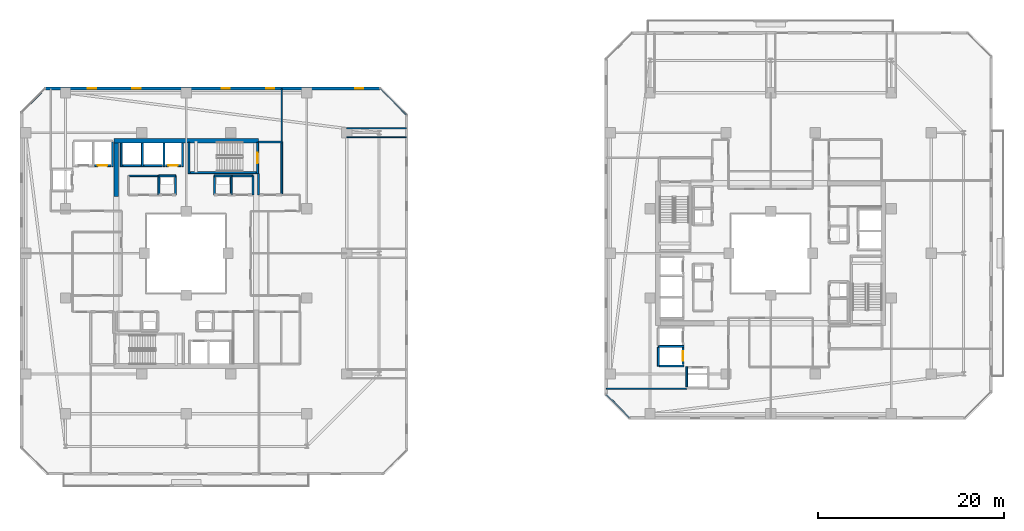
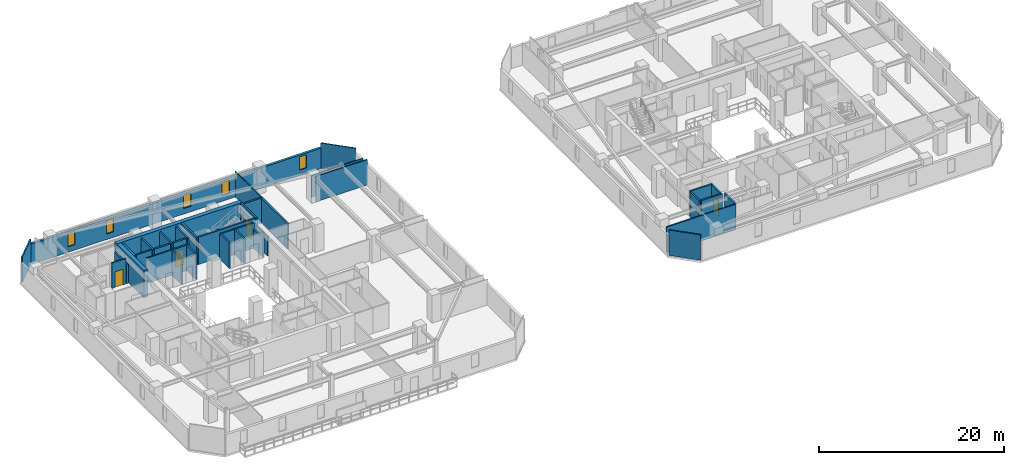
# One storey, part 22 of 33: 39 walls, 5 windows, 4 doors, 9 openings.
"""IFC4 building model written with IfcOpenShell, lengths in metres."""

from ifc_helpers import new_model, si_unit, direction, frame, frame_2d, origin, place, context, subcontext, project, spatial, rectangle, extrude, material, layer, layer_set, type_object, element, fill, save


model = new_model("IFC4")

# Units and contexts
model_context = context("Model", 3, precision=1e-05, world=origin(), true_north=direction((0.0, 1.0)))
body_context = subcontext(model_context, "Body", "Model", "MODEL_VIEW")
ifc_project = project(units=[si_unit("LENGTHUNIT", "METRE"), si_unit("AREAUNIT", "SQUARE_METRE"), si_unit("VOLUMEUNIT", "CUBIC_METRE"), si_unit("PLANEANGLEUNIT", "RADIAN"), si_unit("MASSUNIT", "GRAM", prefix="KILO")], contexts=[model_context])

# Site, building, storey
site_placement = place(None, origin())
site = spatial("IfcSite", under=ifc_project, at=site_placement, CompositionType="ELEMENT")
building_placement = place(site_placement, origin())
building = spatial("IfcBuilding", under=site, at=building_placement, Name="Thornwick Lancets Civic Towers", CompositionType="ELEMENT")
storey_placement = place(building_placement, frame((0.0, 0.0, 167.10009765625)))
storey = spatial("IfcBuildingStorey", under=building, at=storey_placement, Name="L44", CompositionType="ELEMENT", Elevation=167.10009765625)

# Wall, opening, door
ifc_material_1 = material(Name="Concrete blockwork C40/50", Category="masonry")
ifc_layer_1 = layer(ifc_material_1, 0.199951171875, Name="Concrete blockwork C40/50")
ifc_layer_set_1 = layer_set([ifc_layer_1], Name="Concrete blockwork C40/50")
wall_type_1 = type_object("IfcWallType", Name="WALL_COMP_200", PredefinedType="STANDARD", material=ifc_layer_set_1)
wall_1_placement = place(storey_placement, frame((24.919921875, 36.449951171875, 0.0), z_axis=(0.0, 0.0, 1.0), x_axis=(-1.0, 0.0, 0.0)))
wall_1 = element("IfcWall", 1, at=wall_1_placement, inside=storey, type_object=wall_type_1, Name="L44 Hoistway Front Wall FL-A2", PredefinedType="STANDARD", context=body_context, shape_type="SweptSolid", body=[
    extrude(rectangle(XDim=1.639892578125, YDim=0.199951171875, at=frame_2d((0.81982421875, 0.0))), origin(), (0.0, 0.0, 1.0), 3.33984375),
])
opening_1_placement = place(wall_1_placement, frame((0.31005859375, 0.0, 0.0)))
opening_1 = element("IfcOpeningElement", 2, at=opening_1_placement, cuts=wall_1, Name="Opening LD-FL-A2", PredefinedType="OPENING", context=body_context, shape_type="SweptSolid", body=[
    extrude(rectangle(XDim=1.02001953125, YDim=2.06005859375, at=frame_2d((0.510009765625, 1.030029296875))), frame((0.0, 0.10986328125, 0.0), z_axis=(0.0, -1.0, 0.0), x_axis=(1.0, 0.0, 0.0)), (0.0, 0.0, 1.0), 0.219970703125),
])
ifc_material_2 = material(Name="Brushed bronze stainless steel", Category="steel")
door_type_1 = type_object("IfcDoorType", Name="DOOR_LIFT_SLIDE", OperationType="SLIDING_TO_LEFT", PredefinedType="DOOR", material=ifc_material_2)
door_1_placement = place(opening_1_placement, origin())
door_1 = element("IfcDoor", 3, at=door_1_placement, inside=storey, type_object=door_type_1, Name="L44 Sliding Lift Landing Door LD-FL-A2", OperationType="SLIDING_TO_LEFT", OverallHeight=2.06005859375, OverallWidth=1.02001953125, PredefinedType="DOOR", context=body_context, shape_type="SweptSolid", body=[
    extrude(rectangle(XDim=1.02001953125, YDim=2.06005859375, at=frame_2d((0.510009765625, 1.030029296875))), frame((0.0, 0.02490234375, 0.0), z_axis=(0.0, -1.0, 0.0), x_axis=(1.0, 0.0, 0.0)), (0.0, 0.0, 1.0), 0.050048828125),
])
fill(opening_1, door_1)

# Walls
wall_2_placement = place(storey_placement, frame((22.919921875, 36.449951171875, 0.0), z_axis=(0.0, 0.0, 1.0), x_axis=(-1.0, 0.0, 0.0)))
element("IfcWall", 4, at=wall_2_placement, inside=storey, type_object=wall_type_1, Name="L44 Hoistway Front Wall PL-AH2", PredefinedType="STANDARD", context=body_context, shape_type="SweptSolid", body=[
    extrude(rectangle(XDim=1.989990234375, YDim=0.199951171875, at=frame_2d((0.9951171875, 0.0))), origin(), (0.0, 0.0, 1.0), 3.33984375),
])
wall_3_placement = place(storey_placement, frame((20.6201171875, 36.449951171875, 0.0), z_axis=(0.0, 0.0, 1.0), x_axis=(-1.0, 0.0, 0.0)))
element("IfcWall", 5, at=wall_3_placement, inside=storey, type_object=wall_type_1, Name="L44 Hoistway Front Wall PL-AH3", PredefinedType="STANDARD", context=body_context, shape_type="SweptSolid", body=[
    extrude(rectangle(XDim=1.940185546875, YDim=0.199951171875, at=frame_2d((0.97021484375, 0.0))), origin(), (0.0, 0.0, 1.0), 3.33984375),
])

# Wall, opening, door
wall_4_placement = place(storey_placement, frame((17.3701171875, 36.449951171875, 0.0), z_axis=(0.0, 0.0, 1.0), x_axis=(-1.0, 0.0, 0.0)))
wall_4 = element("IfcWall", 6, at=wall_4_placement, inside=storey, type_object=wall_type_1, Name="L44 Hoistway Front Wall PL-AM1", PredefinedType="STANDARD", context=body_context, shape_type="SweptSolid", body=[
    extrude(rectangle(XDim=1.740234375, YDim=0.199951171875, at=frame_2d((0.8701171875, 0.0))), origin(), (0.0, 0.0, 1.0), 3.33984375),
])
opening_2_placement = place(wall_4_placement, frame((0.360107421875, 0.0, 0.0)))
opening_2 = element("IfcOpeningElement", 7, at=opening_2_placement, cuts=wall_4, Name="Opening LD-PL-AM1", PredefinedType="OPENING", context=body_context, shape_type="SweptSolid", body=[
    extrude(rectangle(XDim=1.02001953125, YDim=2.06005859375, at=frame_2d((0.510009765625, 1.030029296875))), frame((0.0, 0.10986328125, 0.0), z_axis=(0.0, -1.0, 0.0), x_axis=(1.0, 0.0, 0.0)), (0.0, 0.0, 1.0), 0.219970703125),
])
door_2_placement = place(opening_2_placement, origin())
door_2 = element("IfcDoor", 8, at=door_2_placement, inside=storey, type_object=door_type_1, Name="L44 Sliding Lift Landing Door LD-PL-AM1", OperationType="SLIDING_TO_LEFT", OverallHeight=2.06005859375, OverallWidth=1.02001953125, PredefinedType="DOOR", context=body_context, shape_type="SweptSolid", body=[
    extrude(rectangle(XDim=1.02001953125, YDim=2.06005859375, at=frame_2d((0.510009765625, 1.030029296875))), frame((0.0, 0.02490234375, 0.0), z_axis=(0.0, -1.0, 0.0), x_axis=(1.0, 0.0, 0.0)), (0.0, 0.0, 1.0), 0.050048828125),
])
fill(opening_2, door_2)

wall_5_placement = place(storey_placement, frame((79.050048828125, 15.030029296875, 0.0), z_axis=(0.0, 0.0, 1.0), x_axis=(0.0, 1.0, 0.0)))
wall_5 = element("IfcWall", 9, at=wall_5_placement, inside=storey, type_object=wall_type_1, Name="L44 Hoistway Front Wall PL-BM2", PredefinedType="STANDARD", context=body_context, shape_type="SweptSolid", body=[
    extrude(rectangle(XDim=1.7900390625, YDim=0.199951171875, at=frame_2d((0.89501953125, 0.0))), origin(), (0.0, 0.0, 1.0), 3.33984375),
])
opening_3_placement = place(wall_5_placement, frame((0.385009765625, 0.0, 0.0)))
opening_3 = element("IfcOpeningElement", 10, at=opening_3_placement, cuts=wall_5, Name="Opening LD-PL-BM2", PredefinedType="OPENING", context=body_context, shape_type="SweptSolid", body=[
    extrude(rectangle(XDim=1.02001953125, YDim=2.06005859375, at=frame_2d((0.510009765625, 1.030029296875))), frame((0.0, 0.10986328125, 0.0), z_axis=(0.0, -1.0, 0.0), x_axis=(1.0, 0.0, 0.0)), (0.0, 0.0, 1.0), 0.219970703125),
])
door_3_placement = place(opening_3_placement, origin())
door_3 = element("IfcDoor", 11, at=door_3_placement, inside=storey, type_object=door_type_1, Name="L44 Sliding Lift Landing Door LD-PL-BM2", OperationType="SLIDING_TO_LEFT", OverallHeight=2.06005859375, OverallWidth=1.02001953125, PredefinedType="DOOR", context=body_context, shape_type="SweptSolid", body=[
    extrude(rectangle(XDim=1.02001953125, YDim=2.06005859375, at=frame_2d((0.510009765625, 1.030029296875))), frame((0.0, 0.02490234375, 0.0), z_axis=(0.0, -1.0, 0.0), x_axis=(1.0, 0.0, 0.0)), (0.0, 0.0, 1.0), 0.050048828125),
])
fill(opening_3, door_3)

# Walls
for number, where, z_axis, x_axis, name in (
    (12, (25.10009765625, 36.35205078125, 0.0), (0.0, 0.0, 1.0), (0.0, 1.0, 0.0), "L44 Hoistway Shaft Wall FL-A2 E"),
    (13, (23.10009765625, 36.35205078125, 0.0), (0.0, 0.0, 1.0), (0.0, 1.0, 0.0), "L44 Hoistway Shaft Wall FL-A2 W"),
    (14, (20.77490234375, 36.35205078125, 0.0), (0.0, 0.0, 1.0), (0.0, 1.0, 0.0), "L44 Hoistway Shaft Wall PL-AH2 W"),
    (15, (18.5, 36.35205078125, 0.0), (0.0, 0.0, 1.0), (0.0, 1.0, 0.0), "L44 Hoistway Shaft Wall PL-AH3 W"),
):
    element("IfcWall", number, at=place(storey_placement, frame(where, z_axis=z_axis, x_axis=x_axis)), inside=storey, type_object=wall_type_1, Name=name, PredefinedType="STANDARD", context=body_context, shape_type="SweptSolid", body=[
        extrude(rectangle(XDim=2.535888671875, YDim=0.199951171875, at=frame_2d((1.26806640625, 0.0))), origin(), (0.0, 0.0, 1.0), 3.33984375),
    ])
wall_6_placement = place(storey_placement, frame((17.550048828125, 36.35205078125, 0.0), z_axis=(0.0, 0.0, 1.0), x_axis=(0.0, 1.0, 0.0)))
element("IfcWall", 16, at=wall_6_placement, inside=storey, type_object=wall_type_1, Name="L44 Hoistway Shaft Wall PL-AM1 E", PredefinedType="STANDARD", context=body_context, shape_type="SweptSolid", body=[
    extrude(rectangle(XDim=2.635986328125, YDim=0.199951171875, at=frame_2d((1.31787109375, 0.0))), origin(), (0.0, 0.0, 1.0), 2.544921875),
])
wall_7_placement = place(storey_placement, frame((76.402099609375, 16.97509765625, 0.0), z_axis=(0.0, 0.0, 1.0), x_axis=(1.0, 0.0, 0.0)))
element("IfcWall", 17, at=wall_7_placement, inside=storey, type_object=wall_type_1, Name="L44 Hoistway Shaft Wall PL-BM1 S", PredefinedType="STANDARD", context=body_context, shape_type="SweptSolid", body=[
    extrude(rectangle(XDim=2.745849609375, YDim=0.199951171875, at=frame_2d((1.373046875, 0.0))), origin(), (0.0, 0.0, 1.0), 3.33984375),
])
wall_8_placement = place(storey_placement, frame((76.39990234375, 14.85205078125, 0.0), z_axis=(0.0, 0.0, 1.0), x_axis=(0.0, 1.0, 0.0)))
element("IfcWall", 18, at=wall_8_placement, inside=storey, type_object=wall_type_1, Name="L44 Hoistway Shaft Wall PL-BM1 W", PredefinedType="STANDARD", context=body_context, shape_type="SweptSolid", body=[
    extrude(rectangle(XDim=2.015869140625, YDim=0.199951171875, at=frame_2d((1.0078125, 0.0))), origin(), (0.0, 0.0, 1.0), 3.33984375),
])
wall_9_placement = place(storey_placement, frame((76.511962890625, 14.85009765625, 0.0), z_axis=(0.0, 0.0, 1.0), x_axis=(1.0, 0.0, 0.0)))
element("IfcWall", 19, at=wall_9_placement, inside=storey, type_object=wall_type_1, Name="L44 Hoistway Shaft Wall PL-BM2 S", PredefinedType="STANDARD", context=body_context, shape_type="SweptSolid", body=[
    extrude(rectangle(XDim=2.635986328125, YDim=0.199951171875, at=frame_2d((1.31787109375, 0.0))), origin(), (0.0, 0.0, 1.0), 3.33984375),
])
wall_10_placement = place(storey_placement, frame((79.449951171875, 12.612060546875, 0.0), z_axis=(0.0, 0.0, 1.0), x_axis=(0.0, 1.0, 0.0)))
element("IfcWall", 20, at=wall_10_placement, inside=storey, type_object=wall_type_1, Name="L44 Hoistway Shaft Wall PL-BM3 W", PredefinedType="STANDARD", context=body_context, shape_type="SweptSolid", body=[
    extrude(rectangle(XDim=2.18603515625, YDim=0.199951171875, at=frame_2d((1.093017578125, 0.0))), origin(), (0.0, 0.0, 1.0), 3.33984375),
])
wall_11_placement = place(storey_placement, frame((35.800048828125, 33.300048828125, 0.0), z_axis=(0.0, 0.0, 1.0), x_axis=(0.0, 1.0, 0.0)))
element("IfcWall", 21, at=wall_11_placement, inside=storey, type_object=wall_type_1, Name="L44 Partition L44-A-FFLOB2 E2", PredefinedType="STANDARD", context=body_context, shape_type="SweptSolid", body=[
    extrude(rectangle(XDim=5.699951171875, YDim=0.199951171875, at=frame_2d((2.85009765625, 0.0))), origin(), (0.0, 0.0, 1.0), 3.33984375),
])
wall_12_placement = place(storey_placement, frame((35.800048828125, 39.0, 0.0), z_axis=(0.0, 0.0, 1.0), x_axis=(-1.0, 0.0, 0.0)))
element("IfcWall", 22, at=wall_12_placement, inside=storey, type_object=wall_type_1, Name="L44 Partition L44-A-FFLOB2 E3", PredefinedType="STANDARD", context=body_context, shape_type="SweptSolid", body=[
    extrude(rectangle(XDim=2.5, YDim=0.199951171875, at=frame_2d((1.25, 0.0))), origin(), (0.0, 0.0, 1.0), 3.33984375),
])
wall_13_placement = place(storey_placement, frame((33.300048828125, 35.60009765625, 0.0), z_axis=(0.0, 0.0, 1.0), x_axis=(0.0, -1.0, 0.0)))
element("IfcWall", 23, at=wall_13_placement, inside=storey, type_object=wall_type_1, Name="L44 Partition L44-A-FFLOB2 E4", PredefinedType="STANDARD", context=body_context, shape_type="SweptSolid", body=[
    extrude(rectangle(XDim=2.300048828125, YDim=0.199951171875, at=frame_2d((1.14990234375, 0.0))), origin(), (0.0, 0.0, 1.0), 2.544921875),
])
wall_14_placement = place(storey_placement, frame((24.35009765625, 33.300048828125, 0.0), z_axis=(0.0, 0.0, 1.0), x_axis=(0.0, 1.0, 0.0)))
element("IfcWall", 24, at=wall_14_placement, inside=storey, type_object=wall_type_1, Name="L44 Partition L44-A-DUCT2 E2", PredefinedType="STANDARD", context=body_context, shape_type="SweptSolid", body=[
    extrude(rectangle(XDim=2.050048828125, YDim=0.199951171875, at=frame_2d((1.02490234375, 0.0))), origin(), (0.0, 0.0, 1.0), 3.33984375),
])
wall_15_placement = place(storey_placement, frame((24.35009765625, 35.35009765625, 0.0), z_axis=(0.0, 0.0, 1.0), x_axis=(-1.0, 0.0, 0.0)))
element("IfcWall", 25, at=wall_15_placement, inside=storey, type_object=wall_type_1, Name="L44 Partition L44-A-DUCT2 E3", PredefinedType="STANDARD", context=body_context, shape_type="SweptSolid", body=[
    extrude(rectangle(XDim=1.800048828125, YDim=0.199951171875, at=frame_2d((0.89990234375, 0.0))), origin(), (0.0, 0.0, 1.0), 3.33984375),
])
for number, where, z_axis, x_axis, name in (
    (26, (22.550048828125, 35.35009765625, 0.0), (0.0, 0.0, 1.0), (0.0, -1.0, 0.0), "L44 Partition L44-A-DUCT2 E4"),
    (27, (30.35009765625, 33.300048828125, 0.0), (0.0, 0.0, 1.0), (0.0, 1.0, 0.0), "L44 Partition L44-A-RISER2 E2"),
):
    element("IfcWall", number, at=place(storey_placement, frame(where, z_axis=z_axis, x_axis=x_axis)), inside=storey, type_object=wall_type_1, Name=name, PredefinedType="STANDARD", context=body_context, shape_type="SweptSolid", body=[
        extrude(rectangle(XDim=2.050048828125, YDim=0.199951171875, at=frame_2d((1.02490234375, 0.0))), origin(), (0.0, 0.0, 1.0), 3.33984375),
    ])
wall_16_placement = place(storey_placement, frame((30.35009765625, 35.35009765625, 0.0), z_axis=(0.0, 0.0, 1.0), x_axis=(-1.0, 0.0, 0.0)))
element("IfcWall", 28, at=wall_16_placement, inside=storey, type_object=wall_type_1, Name="L44 Partition L44-A-RISER2 E3", PredefinedType="STANDARD", context=body_context, shape_type="SweptSolid", body=[
    extrude(rectangle(XDim=1.800048828125, YDim=0.199951171875, at=frame_2d((0.89990234375, 0.0))), origin(), (0.0, 0.0, 1.0), 3.33984375),
])
wall_17_placement = place(storey_placement, frame((28.550048828125, 35.35009765625, 0.0), z_axis=(0.0, 0.0, 1.0), x_axis=(0.0, -1.0, 0.0)))
element("IfcWall", 29, at=wall_17_placement, inside=storey, type_object=wall_type_1, Name="L44 Partition L44-A-RISER2 E4", PredefinedType="STANDARD", context=body_context, shape_type="SweptSolid", body=[
    extrude(rectangle(XDim=2.050048828125, YDim=0.199951171875, at=frame_2d((1.02490234375, 0.0))), origin(), (0.0, 0.0, 1.0), 3.33984375),
])
wall_18_placement = place(storey_placement, frame((32.699951171875, 35.35009765625, 0.0), z_axis=(0.0, 0.0, 1.0), x_axis=(0.0, -1.0, 0.0)))
element("IfcWall", 30, at=wall_18_placement, inside=storey, type_object=wall_type_1, Name="L44 Partition L44-A-STR E1", PredefinedType="STANDARD", context=body_context, shape_type="SweptSolid", body=[
    extrude(rectangle(XDim=2.050048828125, YDim=0.199951171875, at=frame_2d((1.02490234375, 0.0))), origin(), (0.0, 0.0, 1.0), 2.544921875),
])
wall_19_placement = place(storey_placement, frame((30.35009765625, 35.35009765625, 0.0), z_axis=(0.0, 0.0, 1.0), x_axis=(1.0, 0.0, 0.0)))
element("IfcWall", 31, at=wall_19_placement, inside=storey, type_object=wall_type_1, Name="L44 Partition L44-A-STR E4", PredefinedType="STANDARD", context=body_context, shape_type="SweptSolid", body=[
    extrude(rectangle(XDim=2.349853515625, YDim=0.199951171875, at=frame_2d((1.1748046875, 0.0))), origin(), (0.0, 0.0, 1.0), 3.33984375),
])
ifc_material_3 = material(Name="Concrete C50/60", Category="concrete")
ifc_layer_2 = layer(ifc_material_3, 0.5, Name="Concrete C50/60")
ifc_layer_set_2 = layer_set([ifc_layer_2], Name="Concrete C50/60")
wall_type_2 = type_object("IfcWallType", Name="WALL_CORE_500", PredefinedType="SHEAR", material=ifc_layer_set_2)
wall_20_placement = place(storey_placement, frame((17.699951171875, 39.14990234375, 0.0), z_axis=(0.0, 0.0, 1.0), x_axis=(1.0, 0.0, 0.0)))
element("IfcWall", 32, at=wall_20_placement, inside=storey, type_object=wall_type_2, Name="L44 Split Core A2 Shear Wall N", PredefinedType="SHEAR", context=body_context, shape_type="SweptSolid", body=[
    extrude(rectangle(XDim=15.60009765625, YDim=0.5, at=frame_2d((7.800048828125, 0.0))), origin(), (0.0, 0.0, 1.0), 3.599853515625),
])
wall_21_placement = place(storey_placement, frame((17.949951171875, 33.10009765625, 0.0), z_axis=(0.0, 0.0, 1.0), x_axis=(0.0, 1.0, 0.0)))
element("IfcWall", 33, at=wall_21_placement, inside=storey, type_object=wall_type_2, Name="L44 Split Core A2 Shear Wall W", PredefinedType="SHEAR", context=body_context, shape_type="SweptSolid", body=[
    extrude(rectangle(XDim=5.7998046875, YDim=0.5, at=frame_2d((2.89990234375, 0.0))), origin(), (0.0, 0.0, 1.0), 3.599853515625),
])

# Wall, openings, windows
ifc_material_4 = material(Name="Insulated russet terracotta rainscreen on concrete C40/50", Category="masonry")
ifc_layer_3 = layer(ifc_material_4, 0.300048828125, Name="Insulated russet terracotta rainscreen on concrete C40/50")
ifc_layer_set_3 = layer_set([ifc_layer_3], Name="Insulated russet terracotta rainscreen on concrete C40/50")
wall_type_3 = type_object("IfcWallType", Name="WALL_EXT_RUSSET_300", PredefinedType="STANDARD", material=ifc_layer_set_3)
wall_22_placement = place(storey_placement, frame((46.405517578125, 44.763671875, 0.0), z_axis=(0.0, 0.0, 1.0), x_axis=(-0.999999999634, 2.7061402e-05, 0.0)))
wall_22 = element("IfcWall", 34, at=wall_22_placement, inside=storey, type_object=wall_type_3, Name="L44 Tower A Terracotta Facade Wall E4", PredefinedType="STANDARD", context=body_context, shape_type="SweptSolid", body=[
    extrude(rectangle(XDim=36.0869140625, YDim=0.300048828125, at=frame_2d((18.04345703125, 0.0))), origin(), (0.0, 0.0, 1.0), 2.699951171875),
])
opening_4_placement = place(wall_22_placement, frame((1.800048828125, 0.0, 0.719970703125)))
opening_4 = element("IfcOpeningElement", 35, at=opening_4_placement, cuts=wall_22, Name="Opening WL-01", PredefinedType="OPENING", context=body_context, shape_type="SweptSolid", body=[
    extrude(rectangle(XDim=0.89990234375, YDim=1.75, at=frame_2d((0.449951171875, 0.875))), frame((0.0, 0.16015625, 0.0), z_axis=(0.0, -1.0, 0.0), x_axis=(1.0, 0.0, 0.0)), (0.0, 0.0, 1.0), 0.320068359375),
])
opening_5_placement = place(wall_22_placement, frame((11.39990234375, 0.0, 0.719970703125)))
opening_5 = element("IfcOpeningElement", 36, at=opening_5_placement, cuts=wall_22, Name="Opening WL-01", PredefinedType="OPENING", context=body_context, shape_type="SweptSolid", body=[
    extrude(rectangle(XDim=0.89990234375, YDim=1.75, at=frame_2d((0.449951171875, 0.875))), frame((0.0, 0.16015625, 0.0), z_axis=(0.0, -1.0, 0.0), x_axis=(1.0, 0.0, 0.0)), (0.0, 0.0, 1.0), 0.320068359375),
])
opening_6_placement = place(wall_22_placement, frame((16.199951171875, 0.0, 0.719970703125)))
opening_6 = element("IfcOpeningElement", 37, at=opening_6_placement, cuts=wall_22, Name="Opening WL-01", PredefinedType="OPENING", context=body_context, shape_type="SweptSolid", body=[
    extrude(rectangle(XDim=0.89990234375, YDim=1.75, at=frame_2d((0.449951171875, 0.875))), frame((0.0, 0.16015625, 0.0), z_axis=(0.0, -1.0, 0.0), x_axis=(1.0, 0.0, 0.0)), (0.0, 0.0, 1.0), 0.320068359375),
])
opening_7_placement = place(wall_22_placement, frame((25.800048828125, 0.0, 0.719970703125)))
opening_7 = element("IfcOpeningElement", 38, at=opening_7_placement, cuts=wall_22, Name="Opening WL-01", PredefinedType="OPENING", context=body_context, shape_type="SweptSolid", body=[
    extrude(rectangle(XDim=0.89990234375, YDim=1.75, at=frame_2d((0.449951171875, 0.875))), frame((0.0, 0.16015625, 0.0), z_axis=(0.0, -1.0, 0.0), x_axis=(1.0, 0.0, 0.0)), (0.0, 0.0, 1.0), 0.320068359375),
])
opening_8_placement = place(wall_22_placement, frame((30.60009765625, 0.0, 0.719970703125)))
opening_8 = element("IfcOpeningElement", 39, at=opening_8_placement, cuts=wall_22, Name="Opening WL-01", PredefinedType="OPENING", context=body_context, shape_type="SweptSolid", body=[
    extrude(rectangle(XDim=0.89990234375, YDim=1.75, at=frame_2d((0.449951171875, 0.875))), frame((0.0, 0.16015625, 0.0), z_axis=(0.0, -1.0, 0.0), x_axis=(1.0, 0.0, 0.0)), (0.0, 0.0, 1.0), 0.320068359375),
])
ifc_material_5 = material(Name="Clear low-e double glazing in bronze frame", Category="glass")
window_type = type_object("IfcWindowType", Name="WIN_LANCET_900", PartitioningType="SINGLE_PANEL", PredefinedType="WINDOW", material=ifc_material_5)
window_1_placement = place(opening_4_placement, origin())
window_1 = element("IfcWindow", 40, at=window_1_placement, inside=storey, type_object=window_type, Name="L44 Tower A Staggered Lancet Window E4-1", OverallHeight=1.75, OverallWidth=0.89990234375, PartitioningType="SINGLE_PANEL", PredefinedType="WINDOW", context=body_context, shape_type="SweptSolid", body=[
    extrude(rectangle(XDim=0.89990234375, YDim=1.75, at=frame_2d((0.449951171875, 0.875))), frame((0.0, 0.030029296875, 0.0), z_axis=(0.0, -1.0, 0.0), x_axis=(1.0, 0.0, 0.0)), (0.0, 0.0, 1.0), 0.06005859375),
])
fill(opening_4, window_1)
window_2_placement = place(opening_5_placement, origin())
window_2 = element("IfcWindow", 41, at=window_2_placement, inside=storey, type_object=window_type, Name="L44 Tower A Staggered Lancet Window E4-2", OverallHeight=1.75, OverallWidth=0.89990234375, PartitioningType="SINGLE_PANEL", PredefinedType="WINDOW", context=body_context, shape_type="SweptSolid", body=[
    extrude(rectangle(XDim=0.89990234375, YDim=1.75, at=frame_2d((0.449951171875, 0.875))), frame((0.0, 0.030029296875, 0.0), z_axis=(0.0, -1.0, 0.0), x_axis=(1.0, 0.0, 0.0)), (0.0, 0.0, 1.0), 0.06005859375),
])
fill(opening_5, window_2)
window_3_placement = place(opening_6_placement, origin())
window_3 = element("IfcWindow", 42, at=window_3_placement, inside=storey, type_object=window_type, Name="L44 Tower A Staggered Lancet Window E4-3", OverallHeight=1.75, OverallWidth=0.89990234375, PartitioningType="SINGLE_PANEL", PredefinedType="WINDOW", context=body_context, shape_type="SweptSolid", body=[
    extrude(rectangle(XDim=0.89990234375, YDim=1.75, at=frame_2d((0.449951171875, 0.875))), frame((0.0, 0.030029296875, 0.0), z_axis=(0.0, -1.0, 0.0), x_axis=(1.0, 0.0, 0.0)), (0.0, 0.0, 1.0), 0.06005859375),
])
fill(opening_6, window_3)
window_4_placement = place(opening_7_placement, origin())
window_4 = element("IfcWindow", 43, at=window_4_placement, inside=storey, type_object=window_type, Name="L44 Tower A Staggered Lancet Window E4-4", OverallHeight=1.75, OverallWidth=0.89990234375, PartitioningType="SINGLE_PANEL", PredefinedType="WINDOW", context=body_context, shape_type="SweptSolid", body=[
    extrude(rectangle(XDim=0.89990234375, YDim=1.75, at=frame_2d((0.449951171875, 0.875))), frame((0.0, 0.030029296875, 0.0), z_axis=(0.0, -1.0, 0.0), x_axis=(1.0, 0.0, 0.0)), (0.0, 0.0, 1.0), 0.06005859375),
])
fill(opening_7, window_4)
window_5_placement = place(opening_8_placement, origin())
window_5 = element("IfcWindow", 44, at=window_5_placement, inside=storey, type_object=window_type, Name="L44 Tower A Staggered Lancet Window E4-5", OverallHeight=1.75, OverallWidth=0.89990234375, PartitioningType="SINGLE_PANEL", PredefinedType="WINDOW", context=body_context, shape_type="SweptSolid", body=[
    extrude(rectangle(XDim=0.89990234375, YDim=1.75, at=frame_2d((0.449951171875, 0.875))), frame((0.0, 0.030029296875, 0.0), z_axis=(0.0, -1.0, 0.0), x_axis=(1.0, 0.0, 0.0)), (0.0, 0.0, 1.0), 0.06005859375),
])
fill(opening_8, window_5)

# Walls
ifc_material_6 = material(Name="Acoustic gypsum board partition")
ifc_layer_4 = layer(ifc_material_6, 0.1201171875, Name="Acoustic gypsum board partition")
ifc_layer_set_4 = layer_set([ifc_layer_4], Name="Acoustic gypsum board partition")
wall_type_4 = type_object("IfcWallType", Name="WALL_PART_120", PredefinedType="PARTITIONING", material=ifc_layer_set_4)
wall_23_placement = place(storey_placement, frame((35.800048828125, 39.0, 0.0), z_axis=(0.0, 0.0, 1.0), x_axis=(0.0, 1.0, 0.0)))
element("IfcWall", 45, at=wall_23_placement, inside=storey, type_object=wall_type_4, Name="L44 Partition L44-A-E4 E6", PredefinedType="PARTITIONING", context=body_context, shape_type="SweptSolid", body=[
    extrude(rectangle(XDim=5.719970703125, YDim=0.1201171875, at=frame_2d((2.85986328125, 0.0))), origin(), (0.0, 0.0, 1.0), 3.33984375),
])
wall_24_placement = place(storey_placement, frame((46.448486328125, 44.719970703125, 0.0), z_axis=(0.0, 0.0, 1.0), x_axis=(0.707106781187, -0.707106781187, 0.0)))
element("IfcWall", 46, at=wall_24_placement, inside=storey, type_object=wall_type_4, Name="L44 Partition L44-A-E4 E12", PredefinedType="PARTITIONING", context=body_context, shape_type="SweptSolid", body=[
    extrude(rectangle(XDim=3.91943359375, YDim=0.1201171875, at=frame_2d((1.959716796875, 0.0))), origin(), (0.0, 0.0, 1.0), 3.33984375),
])
wall_25_placement = place(storey_placement, frame((49.219970703125, 40.47998046875, 0.0), z_axis=(0.0, 0.0, 1.0), x_axis=(-1.0, 0.0, 0.0)))
element("IfcWall", 47, at=wall_25_placement, inside=storey, type_object=wall_type_4, Name="L44 Partition L44-A-E4 E14", PredefinedType="PARTITIONING", context=body_context, shape_type="SweptSolid", body=[
    extrude(rectangle(XDim=6.419921875, YDim=0.1201171875, at=frame_2d((3.2099609375, 0.0))), origin(), (0.0, 0.0, 1.0), 2.89501953125),
])
wall_26_placement = place(storey_placement, frame((42.800048828125, 39.52001953125, 0.0), z_axis=(0.0, 0.0, 1.0), x_axis=(1.0, 0.0, 0.0)))
element("IfcWall", 48, at=wall_26_placement, inside=storey, type_object=wall_type_4, Name="L44 Partition L44-A-E4 E16", PredefinedType="PARTITIONING", context=body_context, shape_type="SweptSolid", body=[
    extrude(rectangle(XDim=6.419921875, YDim=0.1201171875, at=frame_2d((3.2099609375, 0.0))), origin(), (0.0, 0.0, 1.0), 3.33984375),
])
ifc_material_7 = material(Name="Twin-stud acoustic gypsum board")
ifc_layer_5 = layer(ifc_material_7, 0.14990234375, Name="Twin-stud acoustic gypsum board")
ifc_layer_set_5 = layer_set([ifc_layer_5], Name="Twin-stud acoustic gypsum board")
wall_type_5 = type_object("IfcWallType", Name="WALL_PART_150", PredefinedType="PARTITIONING", material=ifc_layer_set_5)
wall_27_placement = place(storey_placement, frame((19.300048828125, 35.35009765625, 0.0), z_axis=(0.0, 0.0, 1.0), x_axis=(1.0, 0.0, 0.0)))
element("IfcWall", 49, at=wall_27_placement, inside=storey, type_object=wall_type_5, Name="L44 Partition L44-A-FWC E2", PredefinedType="PARTITIONING", context=body_context, shape_type="SweptSolid", body=[
    extrude(rectangle(XDim=3.25, YDim=0.14990234375, at=frame_2d((1.625, 0.0))), origin(), (0.0, 0.0, 1.0), 3.33984375),
])
for number, where, z_axis, x_axis, name in (
    (50, (7.780029296875, 42.225341796875, 0.0), (0.0, 0.0, 1.0), (0.707106781187, 0.707106781187, 0.0), "L44 Partition L44-A-W4 E7"),
    (51, (73.274658203125, 9.280029296875, 0.0), (0.0, 0.0, 1.0), (-0.707106781187, 0.707106781187, 0.0), "L44 Partition L44-B-W4 E7"),
):
    element("IfcWall", number, at=place(storey_placement, frame(where, z_axis=z_axis, x_axis=x_axis)), inside=storey, type_object=wall_type_5, Name=name, PredefinedType="PARTITIONING", context=body_context, shape_type="SweptSolid", body=[
        extrude(rectangle(XDim=3.52783203125, YDim=0.14990234375, at=frame_2d((1.763916015625, 0.0))), origin(), (0.0, 0.0, 1.0), 3.33984375),
    ])
wall_28_placement = place(storey_placement, frame((70.780029296875, 12.39990234375, 0.0), z_axis=(0.0, 0.0, 1.0), x_axis=(1.0, 0.0, 0.0)))
element("IfcWall", 52, at=wall_28_placement, inside=storey, type_object=wall_type_5, Name="L44 Partition L44-B-W4 E9", PredefinedType="PARTITIONING", context=body_context, shape_type="SweptSolid", body=[
    extrude(rectangle(XDim=8.671875, YDim=0.14990234375, at=frame_2d((4.3359375, 0.0))), origin(), (0.0, 0.0, 1.0), 3.33984375),
])

# Wall, opening, door
ifc_material_8 = material(Name="Concrete C40/50", Category="concrete")
ifc_layer_6 = layer(ifc_material_8, 0.199951171875, Name="Concrete C40/50")
ifc_layer_set_6 = layer_set([ifc_layer_6], Name="Concrete C40/50")
wall_type_6 = type_object("IfcWallType", Name="WALL_SHAFT_200", PredefinedType="SHEAR", material=ifc_layer_set_6)
wall_29_placement = place(storey_placement, frame((33.199951171875, 38.949951171875, 0.0), z_axis=(0.0, 0.0, 1.0), x_axis=(0.0, -1.0, 0.0)))
wall_29 = element("IfcWall", 53, at=wall_29_placement, inside=storey, type_object=wall_type_6, Name="L44 ST-A2 Fire Stair Core Wall NEAR", PredefinedType="SHEAR", context=body_context, shape_type="SweptSolid", body=[
    extrude(rectangle(XDim=3.349853515625, YDim=0.199951171875, at=frame_2d((1.6748046875, 0.0))), origin(), (0.0, 0.0, 1.0), 3.599853515625),
])
opening_9_placement = place(wall_29_placement, frame((1.125, 0.0, 0.0)))
opening_9 = element("IfcOpeningElement", 54, at=opening_9_placement, cuts=wall_29, Name="Opening D-ST-A2-L44", PredefinedType="OPENING", context=body_context, shape_type="SweptSolid", body=[
    extrude(rectangle(XDim=1.10009765625, YDim=2.10009765625, at=frame_2d((0.550048828125, 1.050048828125))), frame((0.0, 0.10986328125, 0.0), z_axis=(0.0, -1.0, 0.0), x_axis=(1.0, 0.0, 0.0)), (0.0, 0.0, 1.0), 0.219970703125),
])
ifc_material_9 = material(Name="Fire-resisting steel and hardwood", Category="steel")
door_type_2 = type_object("IfcDoorType", Name="DOOR_STAIR_FD60", OperationType="NOTDEFINED", PredefinedType="DOOR", material=ifc_material_9)
door_4_placement = place(opening_9_placement, origin())
door_4 = element("IfcDoor", 55, at=door_4_placement, inside=storey, type_object=door_type_2, Name="L44 ST-A2 Exit Stair Door", OperationType="SINGLE_SWING_LEFT", OverallHeight=2.10009765625, OverallWidth=1.10009765625, PredefinedType="DOOR", context=body_context, shape_type="SweptSolid", body=[
    extrude(rectangle(XDim=1.10009765625, YDim=2.10009765625, at=frame_2d((0.550048828125, 1.050048828125))), frame((0.0, 0.02490234375, 0.0), z_axis=(0.0, -1.0, 0.0), x_axis=(1.0, 0.0, 0.0)), (0.0, 0.0, 1.0), 0.050048828125),
])
fill(opening_9, door_4)

# Walls
wall_30_placement = place(storey_placement, frame((25.800048828125, 35.60009765625, 0.0), z_axis=(0.0, 0.0, 1.0), x_axis=(0.0, 1.0, 0.0)))
element("IfcWall", 56, at=wall_30_placement, inside=storey, type_object=wall_type_6, Name="L44 ST-A2 Fire Stair Core Wall FAR", PredefinedType="SHEAR", context=body_context, shape_type="SweptSolid", body=[
    extrude(rectangle(XDim=3.349853515625, YDim=0.199951171875, at=frame_2d((1.6748046875, 0.0))), origin(), (0.0, 0.0, 1.0), 3.599853515625),
])
wall_31_placement = place(storey_placement, frame((25.949951171875, 35.702880859375, 0.0), z_axis=(0.0, 0.0, 1.0), x_axis=(1.0, 0.0, 0.0)))
element("IfcWall", 57, at=wall_31_placement, inside=storey, type_object=wall_type_6, Name="L44 ST-A2 Fire Stair Core Wall RIGHT", PredefinedType="SHEAR", context=body_context, shape_type="SweptSolid", body=[
    extrude(rectangle(XDim=7.10009765625, YDim=0.199951171875, at=frame_2d((3.550048828125, 0.0))), origin(), (0.0, 0.0, 1.0), 3.599853515625),
])

save(model, "model.ifc")
